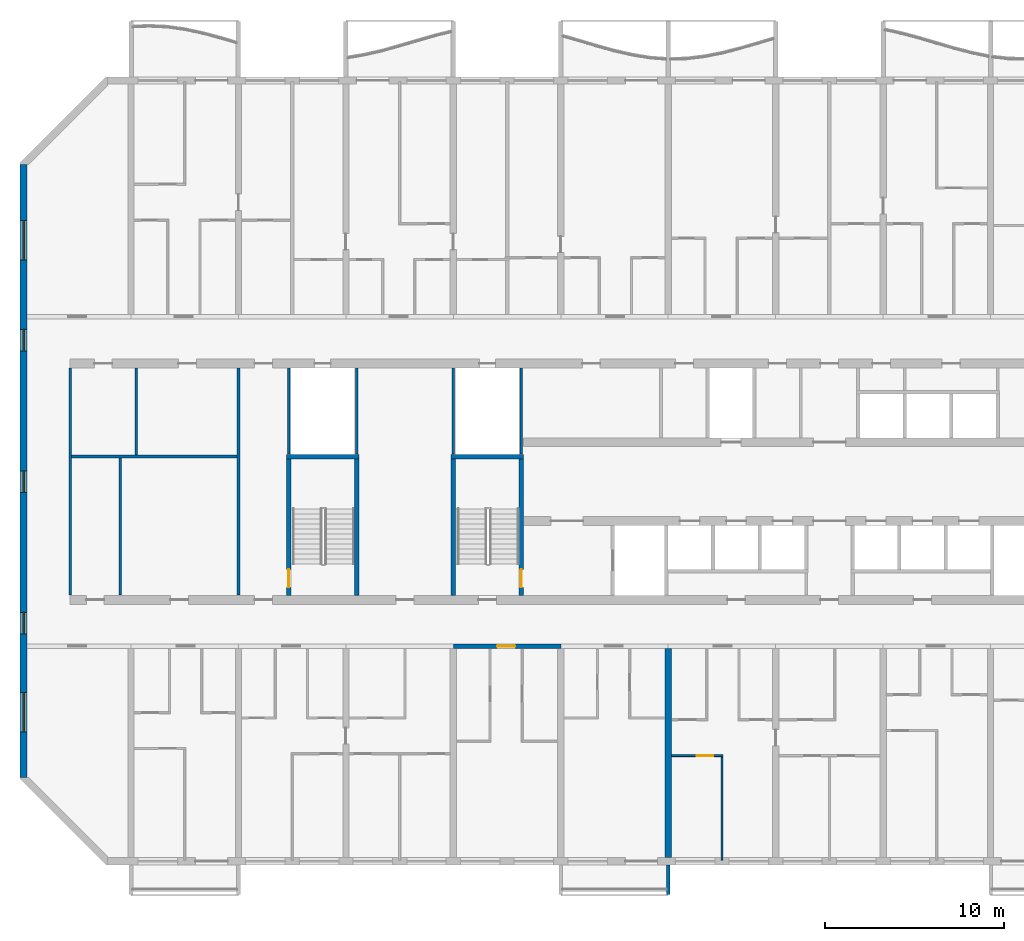
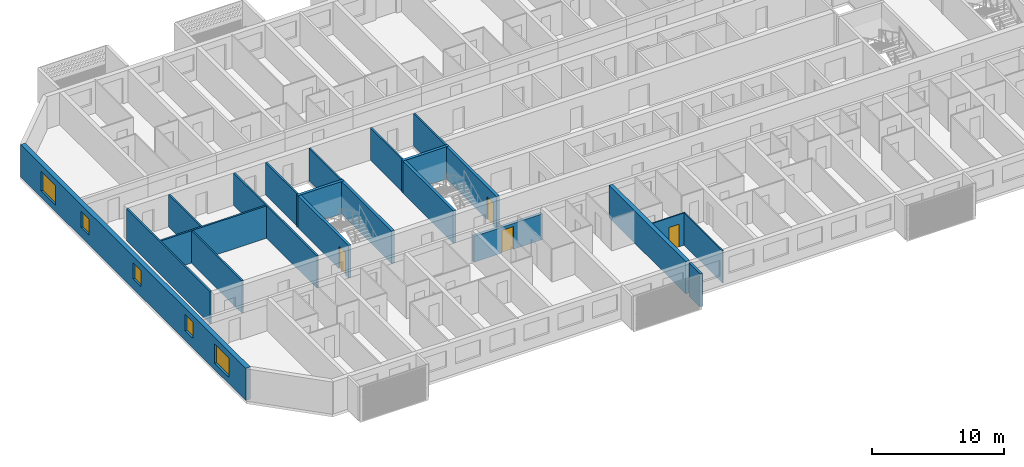
# One storey, part 3 of 24: 21 walls, 5 windows, 4 doors, 9 openings.
"""IFC4 building model written with IfcOpenShell, lengths in metres."""

import ifcopenshell
import ifcopenshell.guid

model = None  # the IFC model being written
_history = None  # IfcOwnerHistory: only IFC2X3 demands one
_inside = {}  # id of a spatial element -> (the spatial element, [elements in it])
_under = {}  # id of a project, library or spatial element -> (it, [spatial elements below it])
_declared = {}  # id of a project -> (the project, [libraries it declares])
_typed = {}  # id of a type object -> (the type object, [elements of that type])
_made_of = {}  # id of a material, layer set ... -> (it, [elements and type objects made of it])


def new_model(schema):
    """Start an empty IFC model of exactly this schema.

    Asked for "IFC4X3", IfcOpenShell would pick the latest addendum, in which some entities
    have other attributes; the version numbers below select the first issue.
    IFC2X3 requires an IfcOwnerHistory on every rooted entity: one is made here for all.
    """
    global model, _history
    if schema == "IFC4X3":
        model = ifcopenshell.file(schema_version=(4, 3, 0, 0))
    else:
        model = ifcopenshell.file(schema=schema)
    _inside.clear()
    _under.clear()
    _declared.clear()
    _typed.clear()
    _made_of.clear()
    _history = None
    if model.schema == "IFC2X3":
        org = make("IfcOrganization", Name="unknown")
        user = make(
            "IfcPersonAndOrganization",
            ThePerson=make("IfcPerson", FamilyName="unknown"),
            TheOrganization=org,
        )
        app = make(
            "IfcApplication",
            ApplicationDeveloper=org,
            Version="unknown",
            ApplicationFullName="unknown",
            ApplicationIdentifier="unknown",
        )
        _history = make(
            "IfcOwnerHistory",
            OwningUser=user,
            OwningApplication=app,
            ChangeAction="ADDED",
            CreationDate=0,
        )
    return model


def make(cls, **values):
    """One entity of the class cls with the attributes given. An attribute that is None is left unset."""
    return model.create_entity(
        cls, **{name: value for name, value in values.items() if value is not None}
    )


def rooted(cls, **values):
    """An entity with a GlobalId (a new one), such as an element, a storey or a relation."""
    return make(cls, GlobalId=ifcopenshell.guid.new(), OwnerHistory=_history, **values)


def si_unit(unit_type, name, prefix=None):
    """IfcSIUnit, for example si_unit("LENGTHUNIT", "METRE", prefix="MILLI")."""
    return make("IfcSIUnit", UnitType=unit_type, Prefix=prefix, Name=name)


def assignment(units):
    """IfcUnitAssignment: the units of a project."""
    return None if units is None else make("IfcUnitAssignment", Units=units)


def point(xyz):
    """IfcCartesianPoint."""
    return None if xyz is None else make("IfcCartesianPoint", Coordinates=xyz)


def direction(xyz):
    """IfcDirection."""
    return None if xyz is None else make("IfcDirection", DirectionRatios=xyz)


def frame(location, z_axis=None, x_axis=None):
    """IfcAxis2Placement3D, a coordinate frame: its origin and axes. An axis left out is left unset."""
    return make(
        "IfcAxis2Placement3D",
        Location=point(location),
        Axis=direction(z_axis),
        RefDirection=direction(x_axis),
    )


def frame_2d(location, x_axis=None):
    """IfcAxis2Placement2D, a coordinate frame in the plane: its origin and x axis."""
    return make(
        "IfcAxis2Placement2D", Location=point(location), RefDirection=direction(x_axis)
    )


def origin():
    """The frame at (0, 0, 0) with its axes left unset."""
    return frame((0.0, 0.0, 0.0))


def place(relative_to, where):
    """IfcLocalPlacement: puts the frame where relative to a parent placement (None: the world)."""
    return make(
        "IfcLocalPlacement", PlacementRelTo=relative_to, RelativePlacement=where
    )


def context(
    kind, dimensions, precision=None, world=None, true_north=None, identifier=None
):
    """IfcGeometricRepresentationContext, for example the 3D "Model" context."""
    return make(
        "IfcGeometricRepresentationContext",
        ContextIdentifier=identifier,
        ContextType=kind,
        CoordinateSpaceDimension=dimensions,
        Precision=precision,
        WorldCoordinateSystem=world,
        TrueNorth=true_north,
    )


def subcontext(parent, identifier, kind, view, scale=None):
    """IfcGeometricRepresentationSubContext, for example "Body" below "Model"."""
    return make(
        "IfcGeometricRepresentationSubContext",
        ContextIdentifier=identifier,
        ContextType=kind,
        ParentContext=parent,
        TargetScale=scale,
        TargetView=view,
    )


def project(units=None, contexts=None):
    """IfcProject with its units and contexts."""
    return rooted(
        "IfcProject",
        Name="project",
        RepresentationContexts=contexts,
        UnitsInContext=assignment(units),
    )


def spatial(cls, under=None, at=None, **own):
    """A site, building, storey or space (cls), placed at a placement, below another one or the project."""
    s = rooted(cls, ObjectPlacement=at, **own)
    if under is not None:
        _under.setdefault(under.id(), (under, []))[1].append(s)
    return s


def polyline(points):
    """IfcPolyline through the points."""
    return make("IfcPolyline", Points=[point(p) for p in points])


def profile(cls, at=None, kind="AREA", **sizes):
    """A parametric profile (cls). Its sizes go by their IFC names, for example OverallWidth=200.0."""
    return make(cls, ProfileType=kind, Position=at, **sizes)


def rectangle(**sizes):
    """IfcRectangleProfileDef."""
    return profile("IfcRectangleProfileDef", **sizes)


def outline(outer, holes=None, kind="AREA"):
    """IfcArbitraryClosedProfileDef: a profile drawn as a closed curve; with holes, ...WithVoids."""
    if holes is None:
        return make("IfcArbitraryClosedProfileDef", ProfileType=kind, OuterCurve=outer)
    return make(
        "IfcArbitraryProfileDefWithVoids",
        ProfileType=kind,
        OuterCurve=outer,
        InnerCurves=holes,
    )


def extrude(swept, where, along, depth):
    """IfcExtrudedAreaSolid: the profile swept, set in the frame where, extruded along a direction by depth."""
    return make(
        "IfcExtrudedAreaSolid",
        SweptArea=swept,
        Position=where,
        ExtrudedDirection=direction(along),
        Depth=depth,
    )


def shape(context_of_items, identifier, shape_type, items):
    """IfcShapeRepresentation: the items that make up one representation, for example the "Body"."""
    return make(
        "IfcShapeRepresentation",
        ContextOfItems=context_of_items,
        RepresentationIdentifier=identifier,
        RepresentationType=shape_type,
        Items=items,
    )


def source(mapping_origin, context_of_items, identifier, shape_type, items):
    """IfcRepresentationMap: a shape defined once, which mapped items show again and again."""
    return make(
        "IfcRepresentationMap",
        MappingOrigin=mapping_origin,
        MappedRepresentation=shape(context_of_items, identifier, shape_type, items),
    )


def transform(
    local_origin,
    x_axis=None,
    y_axis=None,
    z_axis=None,
    scale=None,
    scale2=None,
    scale3=None,
    uniform=True,
):
    """IfcCartesianTransformationOperator3D, or its non-uniform kind. x_axis, y_axis, z_axis: its Axis1, 2, 3."""
    if uniform:
        return make(
            "IfcCartesianTransformationOperator3D",
            Axis1=direction(x_axis),
            Axis2=direction(y_axis),
            LocalOrigin=point(local_origin),
            Scale=scale,
            Axis3=direction(z_axis),
        )
    return make(
        "IfcCartesianTransformationOperator3DnonUniform",
        Axis1=direction(x_axis),
        Axis2=direction(y_axis),
        LocalOrigin=point(local_origin),
        Scale=scale,
        Axis3=direction(z_axis),
        Scale2=scale2,
        Scale3=scale3,
    )


def mapped(mapping_source, mapping_target):
    """IfcMappedItem: shows the shape of a source again, moved by a transform."""
    return make(
        "IfcMappedItem", MappingSource=mapping_source, MappingTarget=mapping_target
    )


def material(Name=None, Category=None):
    """IfcMaterial."""
    return make("IfcMaterial", Name=Name, Category=Category)


def layer(
    of_material, thickness, ventilated=None, Name=None, Category=None, Priority=None
):
    """IfcMaterialLayer: one layer of a wall or slab, of a material (None: an air gap)."""
    return make(
        "IfcMaterialLayer",
        Material=of_material,
        LayerThickness=thickness,
        IsVentilated=ventilated,
        Name=Name,
        Category=Category,
        Priority=Priority,
    )


def layer_set(layers, Name=None):
    """IfcMaterialLayerSet."""
    return make("IfcMaterialLayerSet", MaterialLayers=layers, LayerSetName=Name)


def made_of(thing, what):
    """Note that an element or type object is made of a material, layer set ...; save() writes the relation."""
    if what is not None:
        _made_of.setdefault(what.id(), (what, []))[1].append(thing)
    return thing


def type_object(cls, material=None, **own):
    """A type object (cls), such as IfcWallType, which elements share."""
    return made_of(rooted(cls, **own), material)


def element(
    cls,
    number,
    at=None,
    inside=None,
    cuts=None,
    type_object=None,
    material=None,
    context=None,
    identifier="Body",
    shape_type=None,
    held_by="IfcProductDefinitionShape",
    body=None,
    shapes=None,
    **own,
):
    """One element of the class cls, such as IfcWall. Its Tag is "e" and its number.

    at: its placement. inside: the storey or other place that contains it. cuts: it is an
    opening in that element (IfcRelVoidsElement). A single representation is given by context,
    identifier, shape_type and body (its items); several are given by shapes. held_by: the class
    of the entity that holds the representations. save() writes the other relations.
    """
    e = rooted(cls, Tag="e%d" % number, ObjectPlacement=at, **own)
    if body is not None:
        shapes = [shape(context, identifier, shape_type, body)]
    if shapes is not None:
        e.Representation = make(held_by, Representations=shapes)
    if inside is not None:
        _inside.setdefault(inside.id(), (inside, []))[1].append(e)
    if cuts is not None:
        rooted(
            "IfcRelVoidsElement", RelatingBuildingElement=cuts, RelatedOpeningElement=e
        )
    if type_object is not None:
        _typed.setdefault(type_object.id(), (type_object, []))[1].append(e)
    return made_of(e, material)


def fill(opening, filler):
    """IfcRelFillsElement: the door or window that sits in an opening."""
    return rooted(
        "IfcRelFillsElement",
        RelatingOpeningElement=opening,
        RelatedBuildingElement=filler,
    )


def aggregate(whole, parts):
    """IfcRelAggregates: a whole, such as a stair, and the parts it consists of."""
    return rooted("IfcRelAggregates", RelatingObject=whole, RelatedObjects=parts)


def save(model, path):
    """Write the relations noted so far, then the file.

    IfcRelAggregates (storeys below a building ...), IfcRelContainedInSpatialStructure (elements
    in a storey), IfcRelDefinesByType, IfcRelAssociatesMaterial and IfcRelDeclares: one each for
    every whole, place, type object, material and project.
    """
    for whole, parts in _under.values():
        aggregate(whole, parts)
    for where, things in _inside.values():
        rooted(
            "IfcRelContainedInSpatialStructure",
            RelatedElements=things,
            RelatingStructure=where,
        )
    for kind, things in _typed.values():
        rooted("IfcRelDefinesByType", RelatedObjects=things, RelatingType=kind)
    for what, things in _made_of.values():
        rooted("IfcRelAssociatesMaterial", RelatedObjects=things, RelatingMaterial=what)
    for by, libraries in _declared.values():
        rooted("IfcRelDeclares", RelatingContext=by, RelatedDefinitions=libraries)
    model.write(path)


model = new_model("IFC4")

# Units and contexts
model_context = context("Model", 3, precision=1e-05, world=origin(), true_north=direction((0.0, 1.0)))
body_context = subcontext(model_context, "Body", "Model", "MODEL_VIEW")
ifc_project = project(units=[si_unit("LENGTHUNIT", "METRE"), si_unit("AREAUNIT", "SQUARE_METRE"), si_unit("VOLUMEUNIT", "CUBIC_METRE"), si_unit("PLANEANGLEUNIT", "RADIAN"), si_unit("MASSUNIT", "GRAM", prefix="KILO")], contexts=[model_context])

# Site, building, storey
site_placement = place(None, origin())
site = spatial("IfcSite", under=ifc_project, at=site_placement, CompositionType="ELEMENT")
building_placement = place(site_placement, origin())
building = spatial("IfcBuilding", under=site, at=building_placement, Name="Poui Terraces", CompositionType="ELEMENT")
storey_placement = place(building_placement, frame((0.0, 0.0, 102.60009765625)))
storey = spatial("IfcBuildingStorey", under=building, at=storey_placement, Name="L28", CompositionType="ELEMENT", Elevation=102.60009765625)

# Walls
ifc_material_1 = material(Name="Fire-rated plasterboard wall")
ifc_layer_1 = layer(ifc_material_1, 0.14990234375)
ifc_layer_set_1 = layer_set([ifc_layer_1], Name="Fire-rated plasterboard wall")
wall_type_1 = type_object("IfcWallType", Name="CORRIDOR WALL 150", PredefinedType="PARTITIONING", material=ifc_layer_set_1)
for number, where, z_axis, x_axis, name in (
    (1, (8.60009765625, 14.860107421875, 0.0), (0.0, 0.0, 1.0), (0.0, 1.0, 0.0), "CORRIDOR WALL 150"),
    (2, (18.0, 14.860107421875, 0.0), (0.0, 0.0, 1.0), (0.0, 1.0, 0.0), "CORRIDOR WALL 150"),
):
    element("IfcWall", number, at=place(storey_placement, frame(where, z_axis=z_axis, x_axis=x_axis)), inside=storey, type_object=wall_type_1, Name=name, PredefinedType="PARTITIONING", context=body_context, shape_type="SweptSolid", body=[
        extrude(rectangle(XDim=12.679931640625, YDim=0.14990234375, at=frame_2d((6.33984375, 0.0))), origin(), (0.0, 0.0, 1.0), 3.0),
    ])

# Wall, opening, door
ifc_material_2 = material(Name="Concrete 65 MPa", Category="concrete")
ifc_layer_2 = layer(ifc_material_2, 0.25)
ifc_layer_set_2 = layer_set([ifc_layer_2], Name="Concrete 65 MPa")
wall_type_2 = type_object("IfcWallType", Name="CORRIDOR WALL 250 65MPa", PredefinedType="SHEAR", material=ifc_layer_set_2)
wall_1_placement = place(storey_placement, frame((30.0, 12.0, 0.0), z_axis=(0.0, 0.0, 1.0), x_axis=(1.0, 0.0, 0.0)))
wall_1 = element("IfcWall", 3, at=wall_1_placement, inside=storey, type_object=wall_type_2, Name="CORRIDOR WALL LINE B BAY 5", PredefinedType="SHEAR", context=body_context, shape_type="SweptSolid", body=[
    extrude(rectangle(XDim=6.0, YDim=0.25, at=frame_2d((3.0, 0.0))), origin(), (0.0, 0.0, 1.0), 2.39990234375),
])
opening_1_placement = place(wall_1_placement, frame((2.449951171875, 0.0, 0.0)))
opening_1 = element("IfcOpeningElement", 4, at=opening_1_placement, cuts=wall_1, Name="Opening FD30S", PredefinedType="OPENING", context=body_context, shape_type="SweptSolid", body=[
    extrude(rectangle(XDim=1.0, YDim=2.10009765625, at=frame_2d((0.5, 1.050048828125))), frame((0.0, 0.135009765625, 0.0), z_axis=(0.0, -1.0, 0.0), x_axis=(1.0, 0.0, 0.0)), (0.0, 0.0, 1.0), 0.27001953125),
])
ifc_material_3 = material(Name="Steel fire door", Category="steel")
door_type_1 = type_object("IfcDoorType", Name="FLAT ENTRANCE DOOR 1000 X 2100", OperationType="NOTDEFINED", PredefinedType="DOOR", material=ifc_material_3)
door_1_placement = place(opening_1_placement, frame((1.0, 0.0, 0.0), z_axis=(0.0, 0.0, 1.0), x_axis=(-1.0, 0.0, 0.0)))
door_1 = element("IfcDoor", 5, at=door_1_placement, inside=storey, type_object=door_type_1, Name="FLAT ENTRANCE DOOR 094", OperationType="SINGLE_SWING_RIGHT", OverallHeight=2.10009765625, OverallWidth=1.0, PredefinedType="DOOR", context=body_context, shape_type="SweptSolid", body=[
    extrude(rectangle(XDim=1.0, YDim=2.10009765625, at=frame_2d((0.5, 1.050048828125))), frame((0.0, 0.02490234375, 0.0), z_axis=(0.0, -1.0, 0.0), x_axis=(1.0, 0.0, 0.0)), (0.0, 0.0, 1.0), 0.050048828125),
])
fill(opening_1, door_1)

# Wall
ifc_layer_3 = layer(ifc_material_2, 0.35009765625)
ifc_layer_set_3 = layer_set([ifc_layer_3], Name="Concrete 65 MPa")
wall_type_3 = type_object("IfcWallType", Name="CROSS WALL 350 65MPa", PredefinedType="SHEAR", material=ifc_layer_set_3)
wall_2_placement = place(storey_placement, frame((42.0, 0.199951171875, 0.0), z_axis=(0.0, 0.0, 1.0), x_axis=(0.0, 1.0, 0.0)))
element("IfcWall", 6, at=wall_2_placement, inside=storey, type_object=wall_type_3, Name="CROSS WALL LINE 8 SOUTH", PredefinedType="SHEAR", context=body_context, shape_type="SweptSolid", body=[
    extrude(rectangle(XDim=11.675048828125, YDim=0.35009765625, at=frame_2d((5.83740234375, 0.0))), origin(), (0.0, 0.0, 1.0), 3.0),
])

# Wall, openings, windows
ifc_layer_4 = layer(ifc_material_2, 0.39990234375)
ifc_layer_set_4 = layer_set([ifc_layer_4], Name="Concrete 65 MPa")
wall_type_4 = type_object("IfcWallType", Name="END WALL 400 65MPa", PredefinedType="SHEAR", material=ifc_layer_set_4)
wall_3_placement = place(storey_placement, frame((6.0, 4.682861328125, 0.0), z_axis=(0.0, 0.0, 1.0), x_axis=(0.0, 1.0, 0.0)))
wall_3 = element("IfcWall", 7, at=wall_3_placement, inside=storey, type_object=wall_type_4, Name="END WALL WEST", PredefinedType="SHEAR", context=body_context, shape_type="SweptSolid", body=[
    extrude(rectangle(XDim=34.234375, YDim=0.39990234375, at=frame_2d((17.1171875, 0.0))), origin(), (0.0, 0.0, 1.0), 3.0),
])
opening_2_placement = place(wall_3_placement, frame((23.817138671875, 0.0, 0.89990234375)))
opening_2 = element("IfcOpeningElement", 8, at=opening_2_placement, cuts=wall_3, Name="Opening W2", PredefinedType="OPENING", context=body_context, shape_type="SweptSolid", body=[
    extrude(rectangle(XDim=1.199951171875, YDim=1.5, at=frame_2d((0.60009765625, 0.75))), frame((0.0, 0.2099609375, 0.0), z_axis=(0.0, -1.0, 0.0), x_axis=(1.0, 0.0, 0.0)), (0.0, 0.0, 1.0), 0.419921875),
])
opening_3_placement = place(wall_3_placement, frame((8.01708984375, 0.0, 0.89990234375)))
opening_3 = element("IfcOpeningElement", 9, at=opening_3_placement, cuts=wall_3, Name="Opening W2", PredefinedType="OPENING", context=body_context, shape_type="SweptSolid", body=[
    extrude(rectangle(XDim=1.199951171875, YDim=1.5, at=frame_2d((0.60009765625, 0.75))), frame((0.0, 0.2099609375, 0.0), z_axis=(0.0, -1.0, 0.0), x_axis=(1.0, 0.0, 0.0)), (0.0, 0.0, 1.0), 0.419921875),
])
opening_4_placement = place(wall_3_placement, frame((15.917236328125, 0.0, 0.89990234375)))
opening_4 = element("IfcOpeningElement", 10, at=opening_4_placement, cuts=wall_3, Name="Opening W2", PredefinedType="OPENING", context=body_context, shape_type="SweptSolid", body=[
    extrude(rectangle(XDim=1.199951171875, YDim=1.5, at=frame_2d((0.60009765625, 0.75))), frame((0.0, 0.2099609375, 0.0), z_axis=(0.0, -1.0, 0.0), x_axis=(1.0, 0.0, 0.0)), (0.0, 0.0, 1.0), 0.419921875),
])
opening_5_placement = place(wall_3_placement, frame((28.8935546875, 0.0, 0.60009765625)))
opening_5 = element("IfcOpeningElement", 11, at=opening_5_placement, cuts=wall_3, Name="Opening W3", PredefinedType="OPENING", context=body_context, shape_type="SweptSolid", body=[
    extrude(rectangle(XDim=2.199951171875, YDim=1.800048828125, at=frame_2d((1.10009765625, 0.89990234375))), frame((0.0, 0.2099609375, 0.0), z_axis=(0.0, -1.0, 0.0), x_axis=(1.0, 0.0, 0.0)), (0.0, 0.0, 1.0), 0.419921875),
])
opening_6_placement = place(wall_3_placement, frame((2.541015625, 0.0, 0.60009765625)))
opening_6 = element("IfcOpeningElement", 12, at=opening_6_placement, cuts=wall_3, Name="Opening W3", PredefinedType="OPENING", context=body_context, shape_type="SweptSolid", body=[
    extrude(rectangle(XDim=2.199951171875, YDim=1.800048828125, at=frame_2d((1.10009765625, 0.89990234375))), frame((0.0, 0.2099609375, 0.0), z_axis=(0.0, -1.0, 0.0), x_axis=(1.0, 0.0, 0.0)), (0.0, 0.0, 1.0), 0.419921875),
])
ifc_material_4 = material(Name="Clear glass in aluminium frame", Category="aluminium")
window_type_1 = type_object("IfcWindowType", Name="WINDOW 1200X1500", PartitioningType="SINGLE_PANEL", PredefinedType="WINDOW", material=ifc_material_4)
window_1_placement = place(opening_2_placement, origin())
window_1 = element("IfcWindow", 13, at=window_1_placement, inside=storey, type_object=window_type_1, Name="W2 WINDOW", OverallHeight=1.5, OverallWidth=1.199951171875, PartitioningType="SINGLE_PANEL", PredefinedType="WINDOW", context=body_context, shape_type="SweptSolid", body=[
    extrude(rectangle(XDim=1.199951171875, YDim=1.5, at=frame_2d((0.60009765625, 0.75))), frame((0.0, 0.030029296875, 0.0), z_axis=(0.0, -1.0, 0.0), x_axis=(1.0, 0.0, 0.0)), (0.0, 0.0, 1.0), 0.06005859375),
])
fill(opening_2, window_1)
window_2_placement = place(opening_3_placement, origin())
window_2 = element("IfcWindow", 14, at=window_2_placement, inside=storey, type_object=window_type_1, Name="W2 WINDOW", OverallHeight=1.5, OverallWidth=1.199951171875, PartitioningType="SINGLE_PANEL", PredefinedType="WINDOW", context=body_context, shape_type="SweptSolid", body=[
    extrude(rectangle(XDim=1.199951171875, YDim=1.5, at=frame_2d((0.60009765625, 0.75))), frame((0.0, 0.030029296875, 0.0), z_axis=(0.0, -1.0, 0.0), x_axis=(1.0, 0.0, 0.0)), (0.0, 0.0, 1.0), 0.06005859375),
])
fill(opening_3, window_2)
window_3_placement = place(opening_4_placement, origin())
window_3 = element("IfcWindow", 15, at=window_3_placement, inside=storey, type_object=window_type_1, Name="W2 WINDOW", OverallHeight=1.5, OverallWidth=1.199951171875, PartitioningType="SINGLE_PANEL", PredefinedType="WINDOW", context=body_context, shape_type="SweptSolid", body=[
    extrude(rectangle(XDim=1.199951171875, YDim=1.5, at=frame_2d((0.60009765625, 0.75))), frame((0.0, 0.030029296875, 0.0), z_axis=(0.0, -1.0, 0.0), x_axis=(1.0, 0.0, 0.0)), (0.0, 0.0, 1.0), 0.06005859375),
])
fill(opening_4, window_3)
window_type_2 = type_object("IfcWindowType", Name="WINDOW 2200X1800", PartitioningType="DOUBLE_PANEL_HORIZONTAL", PredefinedType="WINDOW", material=ifc_material_4)
window_4_placement = place(opening_5_placement, origin())
window_4 = element("IfcWindow", 16, at=window_4_placement, inside=storey, type_object=window_type_2, Name="W3 WINDOW", OverallHeight=1.800048828125, OverallWidth=2.199951171875, PartitioningType="DOUBLE_PANEL_HORIZONTAL", PredefinedType="WINDOW", context=body_context, shape_type="SweptSolid", body=[
    extrude(rectangle(XDim=2.199951171875, YDim=1.800048828125, at=frame_2d((1.10009765625, 0.89990234375))), frame((0.0, 0.030029296875, 0.0), z_axis=(0.0, -1.0, 0.0), x_axis=(1.0, 0.0, 0.0)), (0.0, 0.0, 1.0), 0.06005859375),
])
fill(opening_5, window_4)
window_5_placement = place(opening_6_placement, origin())
window_5 = element("IfcWindow", 17, at=window_5_placement, inside=storey, type_object=window_type_2, Name="W3 WINDOW", OverallHeight=1.800048828125, OverallWidth=2.199951171875, PartitioningType="DOUBLE_PANEL_HORIZONTAL", PredefinedType="WINDOW", context=body_context, shape_type="SweptSolid", body=[
    extrude(rectangle(XDim=2.199951171875, YDim=1.800048828125, at=frame_2d((1.10009765625, 0.89990234375))), frame((0.0, 0.030029296875, 0.0), z_axis=(0.0, -1.0, 0.0), x_axis=(1.0, 0.0, 0.0)), (0.0, 0.0, 1.0), 0.06005859375),
])
fill(opening_6, window_5)

# Wall, opening, door
ifc_material_5 = material(Name="Plasterboard partition")
ifc_layer_5 = layer(ifc_material_5, 0.10009765625)
ifc_layer_set_5 = layer_set([ifc_layer_5], Name="Plasterboard partition")
wall_type_5 = type_object("IfcWallType", Name="FLAT PARTITION 100", PredefinedType="PARTITIONING", material=ifc_layer_set_5)
wall_4_placement = place(storey_placement, frame((42.18505859375, 5.89990234375, 0.0), z_axis=(0.0, 0.0, 1.0), x_axis=(1.0, 0.0, 0.0)))
wall_4 = element("IfcWall", 18, at=wall_4_placement, inside=storey, type_object=wall_type_5, Name="FLAT PARTITION 100", PredefinedType="PARTITIONING", context=body_context, shape_type="SweptSolid", body=[
    extrude(rectangle(XDim=2.864990234375, YDim=0.10009765625, at=frame_2d((1.4326171875, 0.0))), origin(), (0.0, 0.0, 1.0), 3.0),
])
opening_7_placement = place(wall_4_placement, frame((1.4150390625, 0.0, 0.0)))
opening_7 = element("IfcOpeningElement", 19, at=opening_7_placement, cuts=wall_4, Name="Opening D90", PredefinedType="OPENING", context=body_context, shape_type="SweptSolid", body=[
    extrude(rectangle(XDim=0.89990234375, YDim=2.10009765625, at=frame_2d((0.449951171875, 1.050048828125))), frame((0.0, 0.06005859375, 0.0), z_axis=(0.0, -1.0, 0.0), x_axis=(1.0, 0.0, 0.0)), (0.0, 0.0, 1.0), 0.1201171875),
])
ifc_material_6 = material(Name="Solid core timber door", Category="wood")
door_type_2 = type_object("IfcDoorType", Name="INTERNAL DOOR 900 X 2100", OperationType="NOTDEFINED", PredefinedType="DOOR", material=ifc_material_6)
door_2_placement = place(opening_7_placement, origin())
door_2 = element("IfcDoor", 20, at=door_2_placement, inside=storey, type_object=door_type_2, Name="INTERNAL DOOR 103", OperationType="SINGLE_SWING_LEFT", OverallHeight=2.10009765625, OverallWidth=0.89990234375, PredefinedType="DOOR", context=body_context, shape_type="SweptSolid", body=[
    extrude(rectangle(XDim=0.89990234375, YDim=2.10009765625, at=frame_2d((0.449951171875, 1.050048828125))), frame((0.0, 0.02490234375, 0.0), z_axis=(0.0, -1.0, 0.0), x_axis=(1.0, 0.0, 0.0)), (0.0, 0.0, 1.0), 0.050048828125),
])
fill(opening_7, door_2)

# Walls
wall_5_placement = place(storey_placement, frame((45.0, 0.06005859375, 0.0), z_axis=(0.0, 0.0, 1.0), x_axis=(0.0, 1.0, 0.0)))
element("IfcWall", 21, at=wall_5_placement, inside=storey, type_object=wall_type_5, Name="FLAT PARTITION 100", PredefinedType="PARTITIONING", context=body_context, shape_type="SweptSolid", body=[
    extrude(rectangle(XDim=5.7900390625, YDim=0.10009765625, at=frame_2d((2.89501953125, 0.0))), origin(), (0.0, 0.0, 1.0), 3.0),
])
ifc_layer_6 = layer(ifc_material_5, 0.14990234375)
ifc_layer_set_6 = layer_set([ifc_layer_6], Name="Plasterboard partition")
wall_type_6 = type_object("IfcWallType", Name="PARTITION WALL 150", PredefinedType="PARTITIONING", material=ifc_layer_set_6)
wall_6_placement = place(storey_placement, frame((8.675048828125, 22.60009765625, 0.0), z_axis=(0.0, 0.0, 1.0), x_axis=(1.0, 0.0, 0.0)))
element("IfcWall", 22, at=wall_6_placement, inside=storey, type_object=wall_type_6, Name="PARTITION WALL 150", PredefinedType="PARTITIONING", context=body_context, shape_type="SweptSolid", body=[
    extrude(rectangle(XDim=9.25, YDim=0.14990234375, at=frame_2d((4.625, 0.0))), origin(), (0.0, 0.0, 1.0), 3.0),
])
wall_7_placement = place(storey_placement, frame((11.39990234375, 14.860107421875, 0.0), z_axis=(0.0, 0.0, 1.0), x_axis=(0.0, 1.0, 0.0)))
element("IfcWall", 23, at=wall_7_placement, inside=storey, type_object=wall_type_6, Name="PARTITION WALL 150", PredefinedType="PARTITIONING", context=body_context, shape_type="SweptSolid", body=[
    extrude(rectangle(XDim=7.664794921875, YDim=0.14990234375, at=frame_2d((3.83251953125, 0.0))), origin(), (0.0, 0.0, 1.0), 3.0),
])
wall_8_placement = place(storey_placement, frame((12.300048828125, 22.675048828125, 0.0), z_axis=(0.0, 0.0, 1.0), x_axis=(0.0, 1.0, 0.0)))
element("IfcWall", 24, at=wall_8_placement, inside=storey, type_object=wall_type_6, Name="PARTITION WALL 150", PredefinedType="PARTITIONING", context=body_context, shape_type="SweptSolid", body=[
    extrude(rectangle(XDim=4.864990234375, YDim=0.14990234375, at=frame_2d((2.4326171875, 0.0))), origin(), (0.0, 0.0, 1.0), 3.0),
])
ifc_material_7 = material(Name="Fire-rated plasterboard riser wall")
ifc_layer_7 = layer(ifc_material_7, 0.14990234375)
ifc_layer_set_7 = layer_set([ifc_layer_7], Name="Fire-rated plasterboard riser wall")
wall_type_7 = type_object("IfcWallType", Name="RISER WALL 150", PredefinedType="PARTITIONING", material=ifc_layer_set_7)
for number, where, z_axis, x_axis, name in (
    (25, (20.800048828125, 22.735107421875, 0.0), (0.0, 0.0, 1.0), (0.0, 1.0, 0.0), "RISER WALL 150"),
    (26, (24.60009765625, 22.735107421875, 0.0), (0.0, 0.0, 1.0), (0.0, 1.0, 0.0), "RISER WALL 150"),
    (27, (30.0, 22.735107421875, 0.0), (0.0, 0.0, 1.0), (0.0, 1.0, 0.0), "RISER WALL 150"),
    (28, (33.800048828125, 22.735107421875, 0.0), (0.0, 0.0, 1.0), (0.0, 1.0, 0.0), "RISER WALL 150"),
):
    element("IfcWall", number, at=place(storey_placement, frame(where, z_axis=z_axis, x_axis=x_axis)), inside=storey, type_object=wall_type_7, Name=name, PredefinedType="PARTITIONING", context=body_context, shape_type="SweptSolid", body=[
        extrude(rectangle(XDim=4.804931640625, YDim=0.14990234375, at=frame_2d((2.40234375, 0.0))), origin(), (0.0, 0.0, 1.0), 3.0),
    ])
ifc_layer_8 = layer(ifc_material_2, 0.25)
ifc_layer_set_8 = layer_set([ifc_layer_8], Name="Concrete 65 MPa")
wall_type_8 = type_object("IfcWallType", Name="STAIR CORE WALL 250 65 MPA", PredefinedType="SOLIDWALL", material=ifc_layer_set_8)
wall_9_placement = place(storey_placement, frame((30.0, 14.85009765625, 0.0), z_axis=(0.0, 0.0, 1.0), x_axis=(0.0, 1.0, 0.0)))
element("IfcWall", 29, at=wall_9_placement, inside=storey, type_object=wall_type_8, Name="STAIR CORE WALL", PredefinedType="SOLIDWALL", context=body_context, shape_type="SweptSolid", body=[
    extrude(rectangle(XDim=7.625, YDim=0.25, at=frame_2d((3.8125, 0.0))), origin(), (0.0, 0.0, 1.0), 3.0),
])

# Wall, opening, door
wall_10_placement = place(storey_placement, frame((33.800048828125, 14.85009765625, 0.0), z_axis=(0.0, 0.0, 1.0), x_axis=(0.0, 1.0, 0.0)))
wall_10 = element("IfcWall", 30, at=wall_10_placement, inside=storey, type_object=wall_type_8, Name="STAIR CORE WALL", PredefinedType="SOLIDWALL", context=body_context, shape_type="SweptSolid", body=[
    extrude(rectangle(XDim=7.625, YDim=0.25, at=frame_2d((3.8125, 0.0))), origin(), (0.0, 0.0, 1.0), 3.0),
])
opening_8_placement = place(wall_10_placement, frame((0.449951171875, 0.0, 0.0)))
opening_8 = element("IfcOpeningElement", 31, at=opening_8_placement, cuts=wall_10, Name="Opening FD60S", PredefinedType="OPENING", context=body_context, shape_type="SweptSolid", body=[
    extrude(rectangle(XDim=1.0, YDim=2.10009765625, at=frame_2d((0.5, 1.050048828125))), frame((0.0, 0.135009765625, 0.0), z_axis=(0.0, -1.0, 0.0), x_axis=(1.0, 0.0, 0.0)), (0.0, 0.0, 1.0), 0.27001953125),
])
door_type_3 = type_object("IfcDoorType", Name="STAIR DOOR 1000 X 2100", OperationType="NOTDEFINED", PredefinedType="DOOR", material=ifc_material_3)
door_3_placement = place(opening_8_placement, origin())
door_3 = element("IfcDoor", 32, at=door_3_placement, inside=storey, type_object=door_type_3, Name="STAIR DOOR 134", OperationType="SINGLE_SWING_LEFT", OverallHeight=2.10009765625, OverallWidth=1.0, PredefinedType="DOOR", context=body_context, shape_type="SweptSolid", body=[
    extrude(rectangle(XDim=1.0, YDim=2.10009765625, at=frame_2d((0.5, 1.050048828125))), frame((0.0, 0.02490234375, 0.0), z_axis=(0.0, -1.0, 0.0), x_axis=(1.0, 0.0, 0.0)), (0.0, 0.0, 1.0), 0.050048828125),
])
fill(opening_8, door_3)

# Wall
wall_11_placement = place(storey_placement, frame((29.875, 22.60009765625, 0.0), z_axis=(0.0, 0.0, 1.0), x_axis=(1.0, 0.0, 0.0)))
element("IfcWall", 33, at=wall_11_placement, inside=storey, type_object=wall_type_8, Name="STAIR CORE WALL", PredefinedType="SOLIDWALL", context=body_context, shape_type="SweptSolid", body=[
    extrude(rectangle(XDim=4.050048828125, YDim=0.25, at=frame_2d((2.02490234375, 0.0))), origin(), (0.0, 0.0, 1.0), 3.0),
])

# Wall, opening, door
wall_12_placement = place(storey_placement, frame((20.800048828125, 14.85009765625, 0.0), z_axis=(0.0, 0.0, 1.0), x_axis=(0.0, 1.0, 0.0)))
wall_12 = element("IfcWall", 34, at=wall_12_placement, inside=storey, type_object=wall_type_8, Name="STAIR CORE WALL", PredefinedType="SOLIDWALL", context=body_context, shape_type="SweptSolid", body=[
    extrude(rectangle(XDim=7.625, YDim=0.25, at=frame_2d((3.8125, 0.0))), origin(), (0.0, 0.0, 1.0), 3.0),
])
opening_9_placement = place(wall_12_placement, frame((0.449951171875, 0.0, 0.0)))
opening_9 = element("IfcOpeningElement", 35, at=opening_9_placement, cuts=wall_12, Name="Opening FD60S", PredefinedType="OPENING", context=body_context, shape_type="SweptSolid", body=[
    extrude(rectangle(XDim=1.0, YDim=2.10009765625, at=frame_2d((0.5, 1.050048828125))), frame((0.0, 0.135009765625, 0.0), z_axis=(0.0, -1.0, 0.0), x_axis=(1.0, 0.0, 0.0)), (0.0, 0.0, 1.0), 0.27001953125),
])
door_4_placement = place(opening_9_placement, frame((1.0, 0.0, 0.0), z_axis=(0.0, 0.0, 1.0), x_axis=(-1.0, 0.0, 0.0)))
door_4 = element("IfcDoor", 36, at=door_4_placement, inside=storey, type_object=door_type_3, Name="STAIR DOOR 148", OperationType="SINGLE_SWING_RIGHT", OverallHeight=2.10009765625, OverallWidth=1.0, PredefinedType="DOOR", context=body_context, shape_type="SweptSolid", body=[
    extrude(rectangle(XDim=1.0, YDim=2.10009765625, at=frame_2d((0.5, 1.050048828125))), frame((0.0, 0.02490234375, 0.0), z_axis=(0.0, -1.0, 0.0), x_axis=(1.0, 0.0, 0.0)), (0.0, 0.0, 1.0), 0.050048828125),
])
fill(opening_9, door_4)

# Walls
wall_13_placement = place(storey_placement, frame((24.60009765625, 14.85009765625, 0.0), z_axis=(0.0, 0.0, 1.0), x_axis=(0.0, 1.0, 0.0)))
element("IfcWall", 37, at=wall_13_placement, inside=storey, type_object=wall_type_8, Name="STAIR CORE WALL", PredefinedType="SOLIDWALL", context=body_context, shape_type="SweptSolid", body=[
    extrude(rectangle(XDim=7.625, YDim=0.25, at=frame_2d((3.8125, 0.0))), origin(), (0.0, 0.0, 1.0), 3.0),
])
wall_14_placement = place(storey_placement, frame((20.675048828125, 22.60009765625, 0.0), z_axis=(0.0, 0.0, 1.0), x_axis=(1.0, 0.0, 0.0)))
element("IfcWall", 38, at=wall_14_placement, inside=storey, type_object=wall_type_8, Name="STAIR CORE WALL", PredefinedType="SOLIDWALL", context=body_context, shape_type="SweptSolid", body=[
    extrude(rectangle(XDim=4.050048828125, YDim=0.25, at=frame_2d((2.02490234375, 0.0))), origin(), (0.0, 0.0, 1.0), 3.0),
])
ifc_material_8 = material(Name="Precast concrete 40 MPa", Category="concrete")
ifc_layer_9 = layer(ifc_material_8, 0.199951171875)
ifc_layer_set_9 = layer_set([ifc_layer_9], Name="Precast concrete 40 MPa")
wall_type_9 = type_object("IfcWallType", Name="REAR FIN 200", PredefinedType="STANDARD", material=ifc_layer_set_9)
shared_shape = source(origin(), body_context, "Body", "SweptSolid", [
    extrude(outline(polyline([(0.0, 0.0), (0.2001953125, 0.0), (0.2001953125, 1.650146484375), (0.0, 1.650146484375), (0.0, 0.0)])), origin(), (0.0, 0.0, 1.0), 3.099853515625),
])
wall_15_placement = place(storey_placement, frame((41.89990234375, -1.85009765625, 0.0)))
element("IfcWall", 39, at=wall_15_placement, inside=storey, type_object=wall_type_9, Name="REAR FIN", PredefinedType="STANDARD", context=body_context, shape_type="MappedRepresentation", body=[
    mapped(shared_shape, transform((0.0, 0.0, 0.0))),
])

save(model, "model.ifc")
